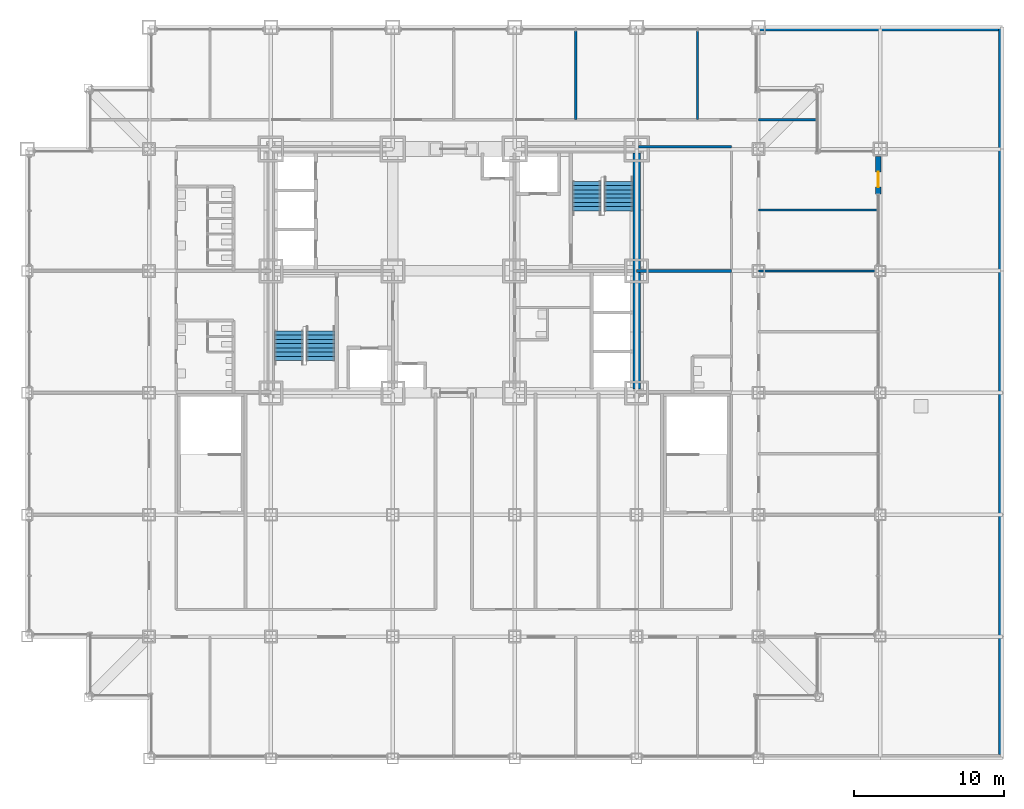
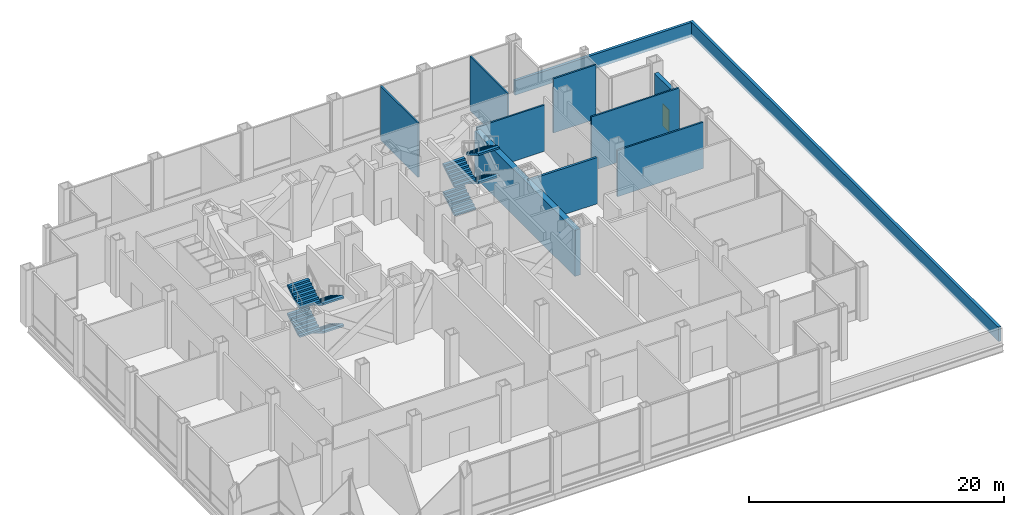
# One storey, part 16 of 18: 11 walls, 8 stair flights, 1 door, 1 opening, 2 elements without a shape of their own.
"""IFC4 building model written with IfcOpenShell, lengths in metres."""

import ifcopenshell
import ifcopenshell.guid

model = None  # the IFC model being written
_history = None  # IfcOwnerHistory: only IFC2X3 demands one
_inside = {}  # id of a spatial element -> (the spatial element, [elements in it])
_under = {}  # id of a project, library or spatial element -> (it, [spatial elements below it])
_declared = {}  # id of a project -> (the project, [libraries it declares])
_typed = {}  # id of a type object -> (the type object, [elements of that type])
_made_of = {}  # id of a material, layer set ... -> (it, [elements and type objects made of it])


def new_model(schema):
    """Start an empty IFC model of exactly this schema.

    Asked for "IFC4X3", IfcOpenShell would pick the latest addendum, in which some entities
    have other attributes; the version numbers below select the first issue.
    IFC2X3 requires an IfcOwnerHistory on every rooted entity: one is made here for all.
    """
    global model, _history
    if schema == "IFC4X3":
        model = ifcopenshell.file(schema_version=(4, 3, 0, 0))
    else:
        model = ifcopenshell.file(schema=schema)
    _inside.clear()
    _under.clear()
    _declared.clear()
    _typed.clear()
    _made_of.clear()
    _history = None
    if model.schema == "IFC2X3":
        org = make("IfcOrganization", Name="unknown")
        user = make(
            "IfcPersonAndOrganization",
            ThePerson=make("IfcPerson", FamilyName="unknown"),
            TheOrganization=org,
        )
        app = make(
            "IfcApplication",
            ApplicationDeveloper=org,
            Version="unknown",
            ApplicationFullName="unknown",
            ApplicationIdentifier="unknown",
        )
        _history = make(
            "IfcOwnerHistory",
            OwningUser=user,
            OwningApplication=app,
            ChangeAction="ADDED",
            CreationDate=0,
        )
    return model


def make(cls, **values):
    """One entity of the class cls with the attributes given. An attribute that is None is left unset."""
    return model.create_entity(
        cls, **{name: value for name, value in values.items() if value is not None}
    )


def rooted(cls, **values):
    """An entity with a GlobalId (a new one), such as an element, a storey or a relation."""
    return make(cls, GlobalId=ifcopenshell.guid.new(), OwnerHistory=_history, **values)


def si_unit(unit_type, name, prefix=None):
    """IfcSIUnit, for example si_unit("LENGTHUNIT", "METRE", prefix="MILLI")."""
    return make("IfcSIUnit", UnitType=unit_type, Prefix=prefix, Name=name)


def assignment(units):
    """IfcUnitAssignment: the units of a project."""
    return None if units is None else make("IfcUnitAssignment", Units=units)


def point(xyz):
    """IfcCartesianPoint."""
    return None if xyz is None else make("IfcCartesianPoint", Coordinates=xyz)


def direction(xyz):
    """IfcDirection."""
    return None if xyz is None else make("IfcDirection", DirectionRatios=xyz)


def frame(location, z_axis=None, x_axis=None):
    """IfcAxis2Placement3D, a coordinate frame: its origin and axes. An axis left out is left unset."""
    return make(
        "IfcAxis2Placement3D",
        Location=point(location),
        Axis=direction(z_axis),
        RefDirection=direction(x_axis),
    )


def frame_2d(location, x_axis=None):
    """IfcAxis2Placement2D, a coordinate frame in the plane: its origin and x axis."""
    return make(
        "IfcAxis2Placement2D", Location=point(location), RefDirection=direction(x_axis)
    )


def origin():
    """The frame at (0, 0, 0) with its axes left unset."""
    return frame((0.0, 0.0, 0.0))


def place(relative_to, where):
    """IfcLocalPlacement: puts the frame where relative to a parent placement (None: the world)."""
    return make(
        "IfcLocalPlacement", PlacementRelTo=relative_to, RelativePlacement=where
    )


def context(
    kind, dimensions, precision=None, world=None, true_north=None, identifier=None
):
    """IfcGeometricRepresentationContext, for example the 3D "Model" context."""
    return make(
        "IfcGeometricRepresentationContext",
        ContextIdentifier=identifier,
        ContextType=kind,
        CoordinateSpaceDimension=dimensions,
        Precision=precision,
        WorldCoordinateSystem=world,
        TrueNorth=true_north,
    )


def subcontext(parent, identifier, kind, view, scale=None):
    """IfcGeometricRepresentationSubContext, for example "Body" below "Model"."""
    return make(
        "IfcGeometricRepresentationSubContext",
        ContextIdentifier=identifier,
        ContextType=kind,
        ParentContext=parent,
        TargetScale=scale,
        TargetView=view,
    )


def project(units=None, contexts=None):
    """IfcProject with its units and contexts."""
    return rooted(
        "IfcProject",
        Name="project",
        RepresentationContexts=contexts,
        UnitsInContext=assignment(units),
    )


def spatial(cls, under=None, at=None, **own):
    """A site, building, storey or space (cls), placed at a placement, below another one or the project."""
    s = rooted(cls, ObjectPlacement=at, **own)
    if under is not None:
        _under.setdefault(under.id(), (under, []))[1].append(s)
    return s


def point_list(points):
    """IfcCartesianPointList2D or 3D."""
    cls = (
        "IfcCartesianPointList2D" if len(points[0]) == 2 else "IfcCartesianPointList3D"
    )
    return make(cls, CoordList=points)


def profile(cls, at=None, kind="AREA", **sizes):
    """A parametric profile (cls). Its sizes go by their IFC names, for example OverallWidth=200.0."""
    return make(cls, ProfileType=kind, Position=at, **sizes)


def rectangle(**sizes):
    """IfcRectangleProfileDef."""
    return profile("IfcRectangleProfileDef", **sizes)


def extrude(swept, where, along, depth):
    """IfcExtrudedAreaSolid: the profile swept, set in the frame where, extruded along a direction by depth."""
    return make(
        "IfcExtrudedAreaSolid",
        SweptArea=swept,
        Position=where,
        ExtrudedDirection=direction(along),
        Depth=depth,
    )


def polygons(points, faces, closed=None, point_numbers=None):
    """IfcPolygonalFaceSet: a face is its outer loop, then its inner loops; points numbered from 1."""
    made = []
    for loops in faces:
        if len(loops) == 1:
            made.append(make("IfcIndexedPolygonalFace", CoordIndex=loops[0]))
        else:
            made.append(
                make(
                    "IfcIndexedPolygonalFaceWithVoids",
                    CoordIndex=loops[0],
                    InnerCoordIndices=loops[1:],
                )
            )
    return make(
        "IfcPolygonalFaceSet",
        Coordinates=point_list(points),
        Closed=closed,
        Faces=made,
        PnIndex=point_numbers,
    )


def shape(context_of_items, identifier, shape_type, items):
    """IfcShapeRepresentation: the items that make up one representation, for example the "Body"."""
    return make(
        "IfcShapeRepresentation",
        ContextOfItems=context_of_items,
        RepresentationIdentifier=identifier,
        RepresentationType=shape_type,
        Items=items,
    )


def source(mapping_origin, context_of_items, identifier, shape_type, items):
    """IfcRepresentationMap: a shape defined once, which mapped items show again and again."""
    return make(
        "IfcRepresentationMap",
        MappingOrigin=mapping_origin,
        MappedRepresentation=shape(context_of_items, identifier, shape_type, items),
    )


def transform(
    local_origin,
    x_axis=None,
    y_axis=None,
    z_axis=None,
    scale=None,
    scale2=None,
    scale3=None,
    uniform=True,
):
    """IfcCartesianTransformationOperator3D, or its non-uniform kind. x_axis, y_axis, z_axis: its Axis1, 2, 3."""
    if uniform:
        return make(
            "IfcCartesianTransformationOperator3D",
            Axis1=direction(x_axis),
            Axis2=direction(y_axis),
            LocalOrigin=point(local_origin),
            Scale=scale,
            Axis3=direction(z_axis),
        )
    return make(
        "IfcCartesianTransformationOperator3DnonUniform",
        Axis1=direction(x_axis),
        Axis2=direction(y_axis),
        LocalOrigin=point(local_origin),
        Scale=scale,
        Axis3=direction(z_axis),
        Scale2=scale2,
        Scale3=scale3,
    )


def mapped(mapping_source, mapping_target):
    """IfcMappedItem: shows the shape of a source again, moved by a transform."""
    return make(
        "IfcMappedItem", MappingSource=mapping_source, MappingTarget=mapping_target
    )


def material(Name=None, Category=None):
    """IfcMaterial."""
    return make("IfcMaterial", Name=Name, Category=Category)


def layer(
    of_material, thickness, ventilated=None, Name=None, Category=None, Priority=None
):
    """IfcMaterialLayer: one layer of a wall or slab, of a material (None: an air gap)."""
    return make(
        "IfcMaterialLayer",
        Material=of_material,
        LayerThickness=thickness,
        IsVentilated=ventilated,
        Name=Name,
        Category=Category,
        Priority=Priority,
    )


def layer_set(layers, Name=None):
    """IfcMaterialLayerSet."""
    return make("IfcMaterialLayerSet", MaterialLayers=layers, LayerSetName=Name)


def made_of(thing, what):
    """Note that an element or type object is made of a material, layer set ...; save() writes the relation."""
    if what is not None:
        _made_of.setdefault(what.id(), (what, []))[1].append(thing)
    return thing


def type_object(cls, material=None, **own):
    """A type object (cls), such as IfcWallType, which elements share."""
    return made_of(rooted(cls, **own), material)


def element(
    cls,
    number,
    at=None,
    inside=None,
    cuts=None,
    type_object=None,
    material=None,
    context=None,
    identifier="Body",
    shape_type=None,
    held_by="IfcProductDefinitionShape",
    body=None,
    shapes=None,
    **own,
):
    """One element of the class cls, such as IfcWall. Its Tag is "e" and its number.

    at: its placement. inside: the storey or other place that contains it. cuts: it is an
    opening in that element (IfcRelVoidsElement). A single representation is given by context,
    identifier, shape_type and body (its items); several are given by shapes. held_by: the class
    of the entity that holds the representations. save() writes the other relations.
    """
    e = rooted(cls, Tag="e%d" % number, ObjectPlacement=at, **own)
    if body is not None:
        shapes = [shape(context, identifier, shape_type, body)]
    if shapes is not None:
        e.Representation = make(held_by, Representations=shapes)
    if inside is not None:
        _inside.setdefault(inside.id(), (inside, []))[1].append(e)
    if cuts is not None:
        rooted(
            "IfcRelVoidsElement", RelatingBuildingElement=cuts, RelatedOpeningElement=e
        )
    if type_object is not None:
        _typed.setdefault(type_object.id(), (type_object, []))[1].append(e)
    return made_of(e, material)


def fill(opening, filler):
    """IfcRelFillsElement: the door or window that sits in an opening."""
    return rooted(
        "IfcRelFillsElement",
        RelatingOpeningElement=opening,
        RelatedBuildingElement=filler,
    )


def aggregate(whole, parts):
    """IfcRelAggregates: a whole, such as a stair, and the parts it consists of."""
    return rooted("IfcRelAggregates", RelatingObject=whole, RelatedObjects=parts)


def save(model, path):
    """Write the relations noted so far, then the file.

    IfcRelAggregates (storeys below a building ...), IfcRelContainedInSpatialStructure (elements
    in a storey), IfcRelDefinesByType, IfcRelAssociatesMaterial and IfcRelDeclares: one each for
    every whole, place, type object, material and project.
    """
    for whole, parts in _under.values():
        aggregate(whole, parts)
    for where, things in _inside.values():
        rooted(
            "IfcRelContainedInSpatialStructure",
            RelatedElements=things,
            RelatingStructure=where,
        )
    for kind, things in _typed.values():
        rooted("IfcRelDefinesByType", RelatedObjects=things, RelatingType=kind)
    for what, things in _made_of.values():
        rooted("IfcRelAssociatesMaterial", RelatedObjects=things, RelatingMaterial=what)
    for by, libraries in _declared.values():
        rooted("IfcRelDeclares", RelatingContext=by, RelatedDefinitions=libraries)
    model.write(path)


model = new_model("IFC4")

# Units and contexts
model_context = context("Model", 3, precision=1e-05, world=origin(), true_north=direction((0.0, 1.0)))
body_context = subcontext(model_context, "Body", "Model", "MODEL_VIEW")
ifc_project = project(units=[si_unit("LENGTHUNIT", "METRE"), si_unit("AREAUNIT", "SQUARE_METRE"), si_unit("VOLUMEUNIT", "CUBIC_METRE"), si_unit("PLANEANGLEUNIT", "RADIAN"), si_unit("MASSUNIT", "GRAM", prefix="KILO")], contexts=[model_context])

# Site, building, storey
site_placement = place(None, origin())
site = spatial("IfcSite", under=ifc_project, at=site_placement, CompositionType="ELEMENT")
building_placement = place(site_placement, origin())
building = spatial("IfcBuilding", under=site, at=building_placement, Name="Kopane Lantern Tower", CompositionType="ELEMENT")
storey_placement = place(building_placement, frame((0.0, 0.0, 22.199951171875)))
storey = spatial("IfcBuildingStorey", under=building, at=storey_placement, Name="L04", CompositionType="ELEMENT", Elevation=22.199951171875)

# Walls
ifc_material_1 = material(Name="Gypsum shaft wall EI 120", Category="gypsum")
ifc_layer_1 = layer(ifc_material_1, 0.5)
ifc_layer_set_1 = layer_set([ifc_layer_1], Name="CORE PERIMETER WALL 500 EI 120")
wall_type_1 = type_object("IfcWallType", Name="CORE PERIMETER WALL 500 EI 120", PredefinedType="SOLIDWALL", material=ifc_layer_set_1)
wall_1_placement = place(storey_placement, frame((40.5, 24.550048828125, 0.0), z_axis=(0.0, 0.0, 1.0), x_axis=(0.0, 1.0, 0.0)))
element("IfcWall", 1, at=wall_1_placement, inside=storey, type_object=wall_type_1, Name="Core shaft wall L04 PE", PredefinedType="SOLIDWALL", context=body_context, shape_type="SweptSolid", body=[
    extrude(rectangle(XDim=15.699951171875, YDim=0.5, at=frame_2d((7.85009765625, 0.0))), origin(), (0.0, 0.0, 1.0), 4.427734375),
])
ifc_material_2 = material(Name="Gypsum board on steel studs", Category="steel")
ifc_layer_2 = layer(ifc_material_2, 0.14990234375)
ifc_layer_set_2 = layer_set([ifc_layer_2], Name="CORRIDOR WALL 150 EI 60")
wall_type_2 = type_object("IfcWallType", Name="CORRIDOR WALL 150 EI 60", PredefinedType="PARTITIONING", material=ifc_layer_set_2)
wall_2_placement = place(storey_placement, frame((46.800048828125, 40.64990234375, 0.0), z_axis=(0.0, 0.0, 1.0), x_axis=(-1.0, 0.0, 0.0)))
element("IfcWall", 2, at=wall_2_placement, inside=storey, type_object=wall_type_2, Name="Corridor Wall 150 Ei 60 L04", PredefinedType="PARTITIONING", context=body_context, shape_type="SweptSolid", body=[
    extrude(rectangle(XDim=6.16796875, YDim=0.14990234375, at=frame_2d((3.083984375, 0.0))), origin(), (0.0, 0.0, 1.0), 4.427734375),
])
ifc_material_3 = material(Name="Gypsum board on steel studs", Category="steel")
ifc_layer_3 = layer(ifc_material_3, 0.14990234375)
ifc_layer_set_3 = layer_set([ifc_layer_3], Name="DEMISING WALL 150 EI 60")
wall_type_3 = type_object("IfcWallType", Name="DEMISING WALL 150 EI 60", PredefinedType="PARTITIONING", material=ifc_layer_set_3)
wall_3_placement = place(storey_placement, frame((36.449951171875, 42.449951171875, 0.0), z_axis=(0.0, 0.0, 1.0), x_axis=(0.0, 1.0, 0.0)))
element("IfcWall", 3, at=wall_3_placement, inside=storey, type_object=wall_type_3, Name="Demising Wall 150 Ei 60 L04", PredefinedType="PARTITIONING", context=body_context, shape_type="SweptSolid", body=[
    extrude(rectangle(XDim=5.884521484375, YDim=0.14990234375, at=frame_2d((2.9423828125, 0.0))), origin(), (0.0, 0.0, 1.0), 5.18994140625),
])
wall_4_placement = place(storey_placement, frame((48.60009765625, 32.39990234375, 0.0), z_axis=(0.0, 0.0, 1.0), x_axis=(1.0, 0.0, 0.0)))
element("IfcWall", 4, at=wall_4_placement, inside=storey, type_object=wall_type_3, Name="Demising Wall 150 Ei 60 L04", PredefinedType="PARTITIONING", context=body_context, shape_type="SweptSolid", body=[
    extrude(rectangle(XDim=7.7998046875, YDim=0.14990234375, at=frame_2d((3.89990234375, 0.0))), origin(), (0.0, 0.0, 1.0), 4.427734375),
])
wall_5_placement = place(storey_placement, frame((48.60009765625, 36.449951171875, 0.0), z_axis=(0.0, 0.0, 1.0), x_axis=(1.0, 0.0, 0.0)))
element("IfcWall", 5, at=wall_5_placement, inside=storey, type_object=wall_type_3, Name="Demising Wall 150 Ei 60 L04", PredefinedType="PARTITIONING", context=body_context, shape_type="SweptSolid", body=[
    extrude(rectangle(XDim=7.929931640625, YDim=0.14990234375, at=frame_2d((3.96484375, 0.0))), origin(), (0.0, 0.0, 1.0), 5.18994140625),
])
wall_6_placement = place(storey_placement, frame((48.60009765625, 42.449951171875, 0.0), z_axis=(0.0, 0.0, 1.0), x_axis=(1.0, 0.0, 0.0)))
element("IfcWall", 6, at=wall_6_placement, inside=storey, type_object=wall_type_3, Name="Demising Wall 150 Ei 60 L04", PredefinedType="PARTITIONING", context=body_context, shape_type="SweptSolid", body=[
    extrude(rectangle(XDim=3.8798828125, YDim=0.14990234375, at=frame_2d((1.93994140625, 0.0))), origin(), (0.0, 0.0, 1.0), 5.18994140625),
])
wall_7_placement = place(storey_placement, frame((44.550048828125, 42.449951171875, 0.0), z_axis=(0.0, 0.0, 1.0), x_axis=(0.0, 1.0, 0.0)))
element("IfcWall", 7, at=wall_7_placement, inside=storey, type_object=wall_type_3, Name="Demising Wall 150 Ei 60 L04", PredefinedType="PARTITIONING", context=body_context, shape_type="SweptSolid", body=[
    extrude(rectangle(XDim=5.884521484375, YDim=0.14990234375, at=frame_2d((2.9423828125, 0.0))), origin(), (0.0, 0.0, 1.0), 5.18994140625),
])

# Wall, opening, door
ifc_material_4 = material(Name="Terracotta rainscreen on light steel framing", Category="masonry")
ifc_layer_4 = layer(ifc_material_4, 0.35009765625)
ifc_layer_set_4 = layer_set([ifc_layer_4], Name="ENTRANCE PIER WALL EW2 300 TERRACOTTA")
wall_type_4 = type_object("IfcWallType", Name="ENTRANCE PIER WALL EW2 300 TERRACOTTA", PredefinedType="SOLIDWALL", material=ifc_layer_set_4)
wall_8_placement = place(storey_placement, frame((56.550048828125, 37.52490234375, 0.0), z_axis=(0.0, 0.0, 1.0), x_axis=(0.0, 1.0, 0.0)))
wall_8 = element("IfcWall", 8, at=wall_8_placement, inside=storey, type_object=wall_type_4, Name="Entrance wall E L04", PredefinedType="SOLIDWALL", context=body_context, shape_type="SweptSolid", body=[
    extrude(rectangle(XDim=2.4951171875, YDim=0.35009765625, at=frame_2d((1.24755859375, 0.0))), origin(), (0.0, 0.0, 1.0), 4.427734375),
])
opening_placement = place(wall_8_placement, frame((0.449951171875, 0.0, 0.0)))
opening = element("IfcOpeningElement", 9, at=opening_placement, cuts=wall_8, Name="Opening L04-E01", PredefinedType="OPENING", context=body_context, shape_type="SweptSolid", body=[
    extrude(rectangle(XDim=1.0, YDim=2.10009765625, at=frame_2d((0.5, 1.050048828125))), frame((0.0, 0.18505859375, 0.0), z_axis=(0.0, -1.0, 0.0), x_axis=(1.0, 0.0, 0.0)), (0.0, 0.0, 1.0), 0.3701171875),
])
ifc_material_5 = material(Name="Insulated steel door set", Category="steel")
door_type = type_object("IfcDoorType", Name="ROOF ACCESS DOOR ED1021 1000x2100", OperationType="SINGLE_SWING_LEFT", PredefinedType="DOOR", material=ifc_material_5)
door_placement = place(opening_placement, origin())
door = element("IfcDoor", 10, at=door_placement, inside=storey, type_object=door_type, Name="Roof access door L04-E01", OperationType="SINGLE_SWING_RIGHT", OverallHeight=2.10009765625, OverallWidth=1.0, PredefinedType="DOOR", context=body_context, shape_type="SweptSolid", body=[
    extrude(rectangle(XDim=1.0, YDim=2.10009765625, at=frame_2d((0.5, 1.050048828125))), frame((0.0, 0.02490234375, 0.0), z_axis=(0.0, -1.0, 0.0), x_axis=(1.0, 0.0, 0.0)), (0.0, 0.0, 1.0), 0.050048828125),
])
fill(opening, door)

# Walls
ifc_material_6 = material(Name="Terracotta rainscreen on light steel framing", Category="masonry")
ifc_layer_5 = layer(ifc_material_6, 0.25)
ifc_layer_set_5 = layer_set([ifc_layer_5], Name="PARAPET PW1 250 TERRACOTTA")
wall_type_5 = type_object("IfcWallType", Name="PARAPET PW1 250 TERRACOTTA", PredefinedType="PARAPET", material=ifc_layer_set_5)
wall_9_placement = place(storey_placement, frame((64.675048828125, 0.25, 0.0), z_axis=(0.0, 0.0, 1.0), x_axis=(0.0, 1.0, 0.0)))
element("IfcWall", 11, at=wall_9_placement, inside=storey, type_object=wall_type_5, Name="Parapet L04", PredefinedType="PARAPET", context=body_context, shape_type="SweptSolid", body=[
    extrude(rectangle(XDim=48.35009765625, YDim=0.25, at=frame_2d((24.175048828125, 0.0))), origin(), (0.0, 0.0, 1.0), 1.380126953125),
])
wall_10_placement = place(storey_placement, frame((64.550048828125, 48.47509765625, 0.0), z_axis=(0.0, 0.0, 1.0), x_axis=(-1.0, 0.0, 0.0)))
element("IfcWall", 12, at=wall_10_placement, inside=storey, type_object=wall_type_5, Name="Parapet L04", PredefinedType="PARAPET", context=body_context, shape_type="SweptSolid", body=[
    extrude(rectangle(XDim=15.949951171875, YDim=0.25, at=frame_2d((7.97509765625, 0.0))), origin(), (0.0, 0.0, 1.0), 1.380126953125),
])
ifc_material_7 = material(Name="Concrete masonry", Category="masonry")
ifc_layer_6 = layer(ifc_material_7, 0.199951171875)
ifc_layer_set_6 = layer_set([ifc_layer_6], Name="PLANT ROOM WALL 200 EI 120")
wall_type_6 = type_object("IfcWallType", Name="PLANT ROOM WALL 200 EI 120", PredefinedType="SOLIDWALL", material=ifc_layer_set_6)
wall_11_placement = place(storey_placement, frame((40.5, 32.39990234375, 0.0), z_axis=(0.0, 0.0, 1.0), x_axis=(1.0, 0.0, 0.0)))
element("IfcWall", 13, at=wall_11_placement, inside=storey, type_object=wall_type_6, Name="Plant Room Wall 200 Ei 120 L04", PredefinedType="SOLIDWALL", context=body_context, shape_type="SweptSolid", body=[
    extrude(rectangle(XDim=6.300048828125, YDim=0.199951171875, at=frame_2d((3.14990234375, 0.0))), origin(), (0.0, 0.0, 1.0), 4.427734375),
])

# Stair, stair flights
ifc_material_8 = material(Name="Steel S355JR", Category="steel")
stair_type = type_object("IfcStairType", Name="EXIT STAIR 1900 HALF TURN", PredefinedType="HALF_TURN_STAIR", material=ifc_material_8)
stair_1_placement = place(storey_placement, origin())
stair_1 = element("IfcStair", 14, at=stair_1_placement, inside=storey, type_object=stair_type, Name="Exit stair ST1 L04", PredefinedType="HALF_TURN_STAIR")
ifc_material_9 = material(Name="Steel S355JR", Category="steel")
stair_flight_type = type_object("IfcStairFlightType", Name="STAIR FLIGHT 1900 STEEL", PredefinedType="STRAIGHT", material=ifc_material_9)
shared_shape = source(origin(), body_context, "Body", "Tessellation", [
    polygons([(1.959960938, 0.949951172, 1.181152344), (1.679931641, 0.949951172, 1.181152344), (1.679931641, -0.949951172, 1.181152344), (1.959960938, -0.949951172, 1.181152344), (0.290527344, 0.949951172, 0.0), (1.959960938, 0.949951172, 1.006347656), (1.959960938, -0.949951172, 1.006347656), (0.290527344, -0.949951172, 0.0), (0.0, 0.949951172, 0.0), (0.0, -0.949951172, 0.0), (0.280029297, 0.949951172, 0.168701172), (0.0, 0.949951172, 0.168701172), (0.0, -0.949951172, 0.168701172), (0.280029297, -0.949951172, 0.168701172), (0.280029297, 0.949951172, 0.337402344), (0.280029297, -0.949951172, 0.337402344), (0.560058594, 0.949951172, 0.337402344), (0.560058594, -0.949951172, 0.337402344), (0.560058594, 0.949951172, 0.506347656), (0.560058594, -0.949951172, 0.506347656), (0.840087891, 0.949951172, 0.506347656), (0.840087891, -0.949951172, 0.506347656), (0.840087891, 0.949951172, 0.675048828), (0.840087891, -0.949951172, 0.675048828), (1.120117188, 0.949951172, 0.675048828), (1.120117188, -0.949951172, 0.675048828), (1.120117188, 0.949951172, 0.84375), (1.120117188, -0.949951172, 0.84375), (1.399902344, 0.949951172, 0.84375), (1.399902344, -0.949951172, 0.84375), (1.399902344, 0.949951172, 1.012451172), (1.399902344, -0.949951172, 1.012451172), (1.679931641, 0.949951172, 1.012451172), (1.679931641, -0.949951172, 1.012451172), (0.0, 0.0, 0.004559491), (0.0, 0.0, 0.009118982), (0.0, 0.0, 0.013678473), (0.0, 0.0, 0.018237965), (0.0, 0.0, 0.022797456), (0.0, 0.0, 0.027356947), (0.0, 0.0, 0.031916438), (0.0, 0.0, 0.036475929), (0.0, 0.0, 0.04103542), (0.0, 0.0, 0.045594911), (0.0, 0.0, 0.050154402), (0.0, 0.0, 0.054713894), (0.0, 0.0, 0.059273385), (0.0, 0.0, 0.063832876), (0.0, 0.0, 0.068392367), (0.0, 0.0, 0.072951858), (0.0, 0.0, 0.077511349), (0.0, 0.0, 0.08207084), (0.0, 0.0, 0.086630332), (0.0, 0.0, 0.091189823), (0.0, 0.0, 0.095749314), (0.0, 0.0, 0.100308805), (0.0, 0.0, 0.104868296), (0.0, 0.0, 0.109427787), (0.0, 0.0, 0.113987278), (0.0, 0.0, 0.118546769), (0.0, 0.0, 0.123106261), (0.0, 0.0, 0.127665752), (0.0, 0.0, 0.132225243), (0.0, 0.0, 0.136784734), (0.0, 0.0, 0.141344225), (0.0, 0.0, 0.145903716), (0.0, 0.0, 0.150463207), (0.0, 0.0, 0.155022698), (0.0, 0.0, 0.15958219), (0.0, 0.0, 0.164141681), (1.959960938, 0.0, 1.011072107), (1.959960938, 0.0, 1.015796558), (1.959960938, 0.0, 1.020521009), (1.959960938, 0.0, 1.02524546), (1.959960938, 0.0, 1.029969911), (1.959960938, 0.0, 1.034694362), (1.959960938, 0.0, 1.039418813), (1.959960938, 0.0, 1.044143264), (1.959960938, 0.0, 1.048867715), (1.959960938, 0.0, 1.053592166), (1.959960938, 0.0, 1.058316617), (1.959960938, 0.0, 1.063041068), (1.959960938, 0.0, 1.067765519), (1.959960938, 0.0, 1.07248997), (1.959960938, 0.0, 1.077214421), (1.959960938, 0.0, 1.081938872), (1.959960938, 0.0, 1.086663323), (1.959960938, 0.0, 1.091387774), (1.959960938, 0.0, 1.096112226), (1.959960938, 0.0, 1.100836677), (1.959960938, 0.0, 1.105561128), (1.959960938, 0.0, 1.110285579), (1.959960938, 0.0, 1.11501003), (1.959960938, 0.0, 1.119734481), (1.959960938, 0.0, 1.124458932), (1.959960938, 0.0, 1.129183383), (1.959960938, 0.0, 1.133907834), (1.959960938, 0.0, 1.138632285), (1.959960938, 0.0, 1.143356736), (1.959960938, 0.0, 1.148081187), (1.959960938, 0.0, 1.152805638), (1.959960938, 0.0, 1.157530089), (1.959960938, 0.0, 1.16225454), (1.959960938, 0.0, 1.166978991), (1.959960938, 0.0, 1.171703442), (1.959960938, 0.0, 1.176427893)], [[[1, 2, 3]], [[1, 3, 4]], [[5, 6, 7]], [[5, 7, 8]], [[9, 5, 8]], [[9, 8, 10]], [[11, 12, 13]], [[11, 13, 14]], [[15, 11, 14]], [[15, 14, 16]], [[17, 15, 16]], [[17, 16, 18]], [[19, 17, 18]], [[19, 18, 20]], [[21, 19, 20]], [[21, 20, 22]], [[23, 21, 22]], [[23, 22, 24]], [[25, 23, 24]], [[25, 24, 26]], [[27, 25, 26]], [[27, 26, 28]], [[29, 27, 28]], [[29, 28, 30]], [[31, 29, 30]], [[31, 30, 32]], [[33, 31, 32]], [[33, 32, 34]], [[2, 33, 34]], [[2, 34, 3]], [[33, 1, 6]], [[29, 33, 6]], [[2, 1, 33]], [[25, 29, 6]], [[31, 33, 29]], [[5, 21, 25]], [[27, 29, 25]], [[17, 21, 5]], [[23, 25, 21]], [[11, 17, 5]], [[19, 21, 17]], [[9, 11, 5]], [[15, 17, 11]], [[12, 11, 9]], [[6, 5, 25]], [[7, 4, 34]], [[7, 34, 30]], [[34, 4, 3]], [[7, 30, 26]], [[30, 34, 32]], [[26, 22, 8]], [[26, 30, 28]], [[8, 22, 18]], [[22, 26, 24]], [[8, 18, 14]], [[18, 22, 20]], [[8, 14, 10]], [[14, 18, 16]], [[10, 14, 13]], [[26, 8, 7]], [[10, 35, 9]], [[10, 36, 35]], [[9, 35, 36]], [[10, 37, 36]], [[9, 36, 37]], [[10, 38, 37]], [[9, 37, 38]], [[10, 39, 38]], [[9, 38, 39]], [[10, 40, 39]], [[9, 39, 40]], [[10, 41, 40]], [[9, 40, 41]], [[10, 42, 41]], [[9, 41, 42]], [[10, 43, 42]], [[9, 42, 43]], [[10, 44, 43]], [[9, 43, 44]], [[10, 45, 44]], [[9, 44, 45]], [[10, 46, 45]], [[9, 45, 46]], [[10, 47, 46]], [[9, 46, 47]], [[10, 48, 47]], [[9, 47, 48]], [[10, 49, 48]], [[9, 48, 49]], [[10, 50, 49]], [[9, 49, 50]], [[10, 51, 50]], [[9, 50, 51]], [[10, 52, 51]], [[9, 51, 52]], [[10, 53, 52]], [[9, 52, 53]], [[10, 54, 53]], [[9, 53, 54]], [[10, 55, 54]], [[9, 54, 55]], [[10, 56, 55]], [[9, 55, 56]], [[10, 57, 56]], [[9, 56, 57]], [[10, 58, 57]], [[9, 57, 58]], [[10, 59, 58]], [[9, 58, 59]], [[10, 60, 59]], [[9, 59, 60]], [[10, 61, 60]], [[9, 60, 61]], [[10, 62, 61]], [[9, 61, 62]], [[10, 63, 62]], [[9, 62, 63]], [[10, 64, 63]], [[9, 63, 64]], [[10, 65, 64]], [[9, 64, 65]], [[10, 66, 65]], [[9, 65, 66]], [[10, 67, 66]], [[9, 66, 67]], [[10, 68, 67]], [[9, 67, 68]], [[10, 69, 68]], [[9, 68, 69]], [[10, 70, 69]], [[9, 69, 70]], [[10, 13, 70]], [[70, 13, 12]], [[9, 70, 12]], [[7, 6, 71]], [[7, 71, 72]], [[6, 72, 71]], [[7, 72, 73]], [[6, 73, 72]], [[7, 73, 74]], [[6, 74, 73]], [[7, 74, 75]], [[6, 75, 74]], [[7, 75, 76]], [[6, 76, 75]], [[7, 76, 77]], [[6, 77, 76]], [[7, 77, 78]], [[6, 78, 77]], [[7, 78, 79]], [[6, 79, 78]], [[7, 79, 80]], [[6, 80, 79]], [[7, 80, 81]], [[6, 81, 80]], [[7, 81, 82]], [[6, 82, 81]], [[7, 82, 83]], [[6, 83, 82]], [[7, 83, 84]], [[6, 84, 83]], [[7, 84, 85]], [[6, 85, 84]], [[7, 85, 86]], [[6, 86, 85]], [[7, 86, 87]], [[6, 87, 86]], [[7, 87, 88]], [[6, 88, 87]], [[7, 88, 89]], [[6, 89, 88]], [[7, 89, 90]], [[6, 90, 89]], [[7, 90, 91]], [[6, 91, 90]], [[7, 91, 92]], [[6, 92, 91]], [[7, 92, 93]], [[6, 93, 92]], [[7, 93, 94]], [[6, 94, 93]], [[7, 94, 95]], [[6, 95, 94]], [[7, 95, 96]], [[6, 96, 95]], [[7, 96, 97]], [[6, 97, 96]], [[7, 97, 98]], [[6, 98, 97]], [[7, 98, 99]], [[6, 99, 98]], [[7, 99, 100]], [[6, 100, 99]], [[7, 100, 101]], [[6, 101, 100]], [[7, 101, 102]], [[6, 102, 101]], [[7, 102, 103]], [[6, 103, 102]], [[7, 103, 104]], [[6, 104, 103]], [[7, 104, 105]], [[6, 105, 104]], [[7, 105, 106]], [[6, 106, 105]], [[7, 106, 4]], [[106, 1, 4]], [[6, 1, 106]]], closed=True),
])
stair_flight_1_placement = place(storey_placement, frame((19.5, 28.409912109375, 0.0), z_axis=(0.0, 0.0, 1.0), x_axis=(0.0, -1.0, 0.0)))
stair_flight_1 = element("IfcStairFlight", 15, at=stair_flight_1_placement, type_object=stair_flight_type, Name="ST1 flight 1", NumberOfRisers=8, NumberOfTreads=7, PredefinedType="STRAIGHT", RiserHeight=0.16875, TreadLength=0.28, context=body_context, shape_type="MappedRepresentation", body=[
    mapped(shared_shape, transform((0.0, 0.0, 0.0))),
])
stair_flight_2_placement = place(storey_placement, frame((17.39990234375, 26.449951171875, 1.35009765625), z_axis=(0.0, 0.0, 1.0), x_axis=(0.0, 1.0, 0.0)))
stair_flight_2 = element("IfcStairFlight", 16, at=stair_flight_2_placement, type_object=stair_flight_type, Name="ST1 flight 2", NumberOfRisers=8, NumberOfTreads=7, PredefinedType="STRAIGHT", RiserHeight=0.16875, TreadLength=0.28, context=body_context, shape_type="MappedRepresentation", body=[
    mapped(shared_shape, transform((0.0, 0.0, 0.0))),
])
stair_flight_3_placement = place(storey_placement, frame((19.5, 28.409912109375, 2.699951171875), z_axis=(0.0, 0.0, 1.0), x_axis=(0.0, -1.0, 0.0)))
stair_flight_3 = element("IfcStairFlight", 17, at=stair_flight_3_placement, type_object=stair_flight_type, Name="ST1 flight 3", NumberOfRisers=8, NumberOfTreads=7, PredefinedType="STRAIGHT", RiserHeight=0.16875, TreadLength=0.28, context=body_context, shape_type="MappedRepresentation", body=[
    mapped(shared_shape, transform((0.0, 0.0, 0.0))),
])
stair_flight_4_placement = place(storey_placement, frame((17.39990234375, 26.449951171875, 4.050048828125), z_axis=(0.0, 0.0, 1.0), x_axis=(0.0, 1.0, 0.0)))
stair_flight_4 = element("IfcStairFlight", 18, at=stair_flight_4_placement, type_object=stair_flight_type, Name="ST1 flight 4", NumberOfRisers=8, NumberOfTreads=7, PredefinedType="STRAIGHT", RiserHeight=0.16875, TreadLength=0.28, context=body_context, shape_type="MappedRepresentation", body=[
    mapped(shared_shape, transform((0.0, 0.0, 0.0))),
])
aggregate(stair_1, [stair_flight_1, stair_flight_2, stair_flight_3, stair_flight_4])

stair_2_placement = place(storey_placement, origin())
stair_2 = element("IfcStair", 19, at=stair_2_placement, inside=storey, type_object=stair_type, Name="Exit stair ST2 L04", PredefinedType="HALF_TURN_STAIR")
stair_flight_5_placement = place(storey_placement, frame((37.199951171875, 36.389892578125, 0.0), z_axis=(0.0, 0.0, 1.0), x_axis=(0.0, 1.0, 0.0)))
stair_flight_5 = element("IfcStairFlight", 20, at=stair_flight_5_placement, type_object=stair_flight_type, Name="ST2 flight 1", NumberOfRisers=8, NumberOfTreads=7, PredefinedType="STRAIGHT", RiserHeight=0.16875, TreadLength=0.28, context=body_context, shape_type="MappedRepresentation", body=[
    mapped(shared_shape, transform((0.0, 0.0, 0.0))),
])
stair_flight_6_placement = place(storey_placement, frame((39.300048828125, 38.35009765625, 1.35009765625), z_axis=(0.0, 0.0, 1.0), x_axis=(0.0, -1.0, 0.0)))
stair_flight_6 = element("IfcStairFlight", 21, at=stair_flight_6_placement, type_object=stair_flight_type, Name="ST2 flight 2", NumberOfRisers=8, NumberOfTreads=7, PredefinedType="STRAIGHT", RiserHeight=0.16875, TreadLength=0.28, context=body_context, shape_type="MappedRepresentation", body=[
    mapped(shared_shape, transform((0.0, 0.0, 0.0))),
])
stair_flight_7_placement = place(storey_placement, frame((37.199951171875, 36.389892578125, 2.699951171875), z_axis=(0.0, 0.0, 1.0), x_axis=(0.0, 1.0, 0.0)))
stair_flight_7 = element("IfcStairFlight", 22, at=stair_flight_7_placement, type_object=stair_flight_type, Name="ST2 flight 3", NumberOfRisers=8, NumberOfTreads=7, PredefinedType="STRAIGHT", RiserHeight=0.16875, TreadLength=0.28, context=body_context, shape_type="MappedRepresentation", body=[
    mapped(shared_shape, transform((0.0, 0.0, 0.0))),
])
stair_flight_8_placement = place(storey_placement, frame((39.300048828125, 38.35009765625, 4.050048828125), z_axis=(0.0, 0.0, 1.0), x_axis=(0.0, -1.0, 0.0)))
stair_flight_8 = element("IfcStairFlight", 23, at=stair_flight_8_placement, type_object=stair_flight_type, Name="ST2 flight 4", NumberOfRisers=8, NumberOfTreads=7, PredefinedType="STRAIGHT", RiserHeight=0.16875, TreadLength=0.28, context=body_context, shape_type="MappedRepresentation", body=[
    mapped(shared_shape, transform((0.0, 0.0, 0.0))),
])
aggregate(stair_2, [stair_flight_5, stair_flight_6, stair_flight_7, stair_flight_8])

save(model, "model.ifc")
